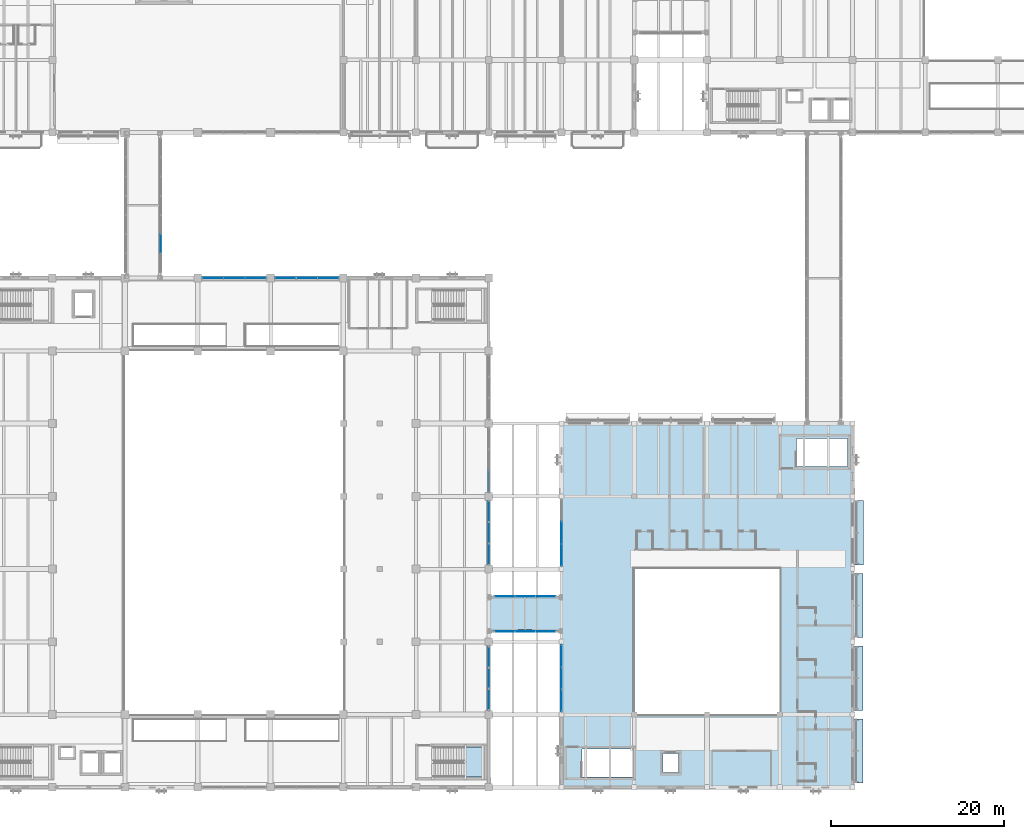
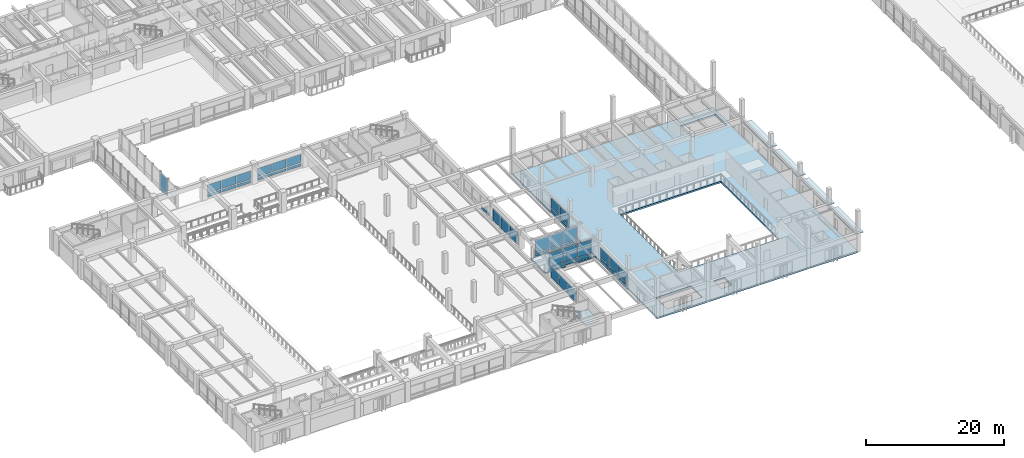
# One storey, part 52 of 118: 47 plates, 3 slabs, 15 elements without a shape of their own.
"""IFC4 building model written with IfcOpenShell, lengths in metres."""

from ifc_helpers import new_model, si_unit, direction, frame, origin, origin_2d, place, context, subcontext, project, spatial, polyline, rectangle, outline, extrude, material, layer, layer_set, type_object, element, aggregate, save


model = new_model("IFC4")

# Units and contexts
model_context = context("Model", 3, precision=1e-05, world=origin(), true_north=direction((0.0, 1.0)))
body_context = subcontext(model_context, "Body", "Model", "MODEL_VIEW")
ifc_project = project(units=[si_unit("LENGTHUNIT", "METRE"), si_unit("AREAUNIT", "SQUARE_METRE"), si_unit("VOLUMEUNIT", "CUBIC_METRE"), si_unit("PLANEANGLEUNIT", "RADIAN"), si_unit("MASSUNIT", "GRAM", prefix="KILO")], contexts=[model_context])

# Site, building, storey
site_placement = place(None, origin())
site = spatial("IfcSite", under=ifc_project, at=site_placement, CompositionType="ELEMENT")
building_placement = place(site_placement, origin())
building = spatial("IfcBuilding", under=site, at=building_placement, Name="Cumbredor Promenade Congress Hotel", CompositionType="ELEMENT")
storey_placement = place(building_placement, frame((0.0, 0.0, 3.919921875)))
storey = spatial("IfcBuildingStorey", under=building, at=storey_placement, Name="L01", CompositionType="ELEMENT", Elevation=3.919921875)

# Stair, slab
ifc_material_1 = material(Name="Concrete C40/50", Category="concrete")
stair_type = type_object("IfcStairType", Name="Protected Dog-Leg Exit Stair ST-T3 1650mm", PredefinedType="HALF_TURN_STAIR", material=ifc_material_1)
stair_placement = place(storey_placement, origin())
stair = element("IfcStair", 1, at=stair_placement, inside=storey, type_object=stair_type, Name="L01 Protected Exit Stair ST-05", PredefinedType="HALF_TURN_STAIR")
ifc_layer_1 = layer(ifc_material_1, 0.199951171875, Name="Concrete C40/50", Category="concrete")
ifc_layer_set_1 = layer_set([ifc_layer_1], Name="Concrete C40/50")
slab_type_1 = type_object("IfcSlabType", Name="Concrete Stair Landing Slab 200mm", PredefinedType="LANDING", material=ifc_layer_set_1)
slab_1_placement = place(storey_placement, frame((0.0, 0.0, 1.6201171875)))
slab_1 = element("IfcSlab", 2, at=slab_1_placement, type_object=slab_type_1, Name="ST-05 landing 1", PredefinedType="LANDING", context=body_context, shape_type="SweptSolid", body=[
    extrude(outline(polyline([(64.35009765625, 9.60009765625), (66.64990234375, 9.60009765625), (66.64990234375, 13.050048828125), (64.35009765625, 13.050048828125), (64.35009765625, 9.60009765625)])), origin(), (0.0, 0.0, 1.0), 0.199951171875),
])
aggregate(stair, [slab_1])

# Curtain wall, plate
ifc_material_2 = material(Name="Thermally broken anodized aluminium and low-E glass", Category="aluminium")
curtain_wall_type_1 = type_object("IfcCurtainWallType", Name="Unitised Bridge Glazing Screen CW-05", PredefinedType="NOTDEFINED", material=ifc_material_2)
curtain_wall_1_placement = place(storey_placement, origin())
curtain_wall_1 = element("IfcCurtainWall", 3, at=curtain_wall_1_placement, inside=storey, type_object=curtain_wall_type_1, Name="L01 West Congress-to-Hotel Glazed Bridge East Glazing Screen", PredefinedType="NOTDEFINED")
ifc_material_3 = material(Name="Laminated low-E solar-control glass", Category="glass")
ifc_layer_2 = layer(ifc_material_3, 0.030029296875, Name="Laminated low-E solar-control glass", Category="glass")
ifc_layer_set_2 = layer_set([ifc_layer_2], Name="Laminated low-E solar-control glass")
plate_type_1 = type_object("IfcPlateType", Name="Glazed Bridge Panel PNL-04", PredefinedType="CURTAIN_PANEL", material=ifc_layer_set_2)
plate_1_placement = place(storey_placement, frame((29.320068359375, 71.177001953125, 0.78515625), z_axis=(0.0, 0.0, 1.0), x_axis=(0.0, 1.0, 0.0)))
plate_1 = element("IfcPlate", 4, at=plate_1_placement, type_object=plate_type_1, Name="L01 West Congress-to-Hotel Glazed Bridge East Glazing Screen Glazing Panel 2.2", PredefinedType="CURTAIN_PANEL", context=body_context, shape_type="SweptSolid", body=[
    extrude(rectangle(XDim=2.146484375, YDim=0.030029296875, at=origin_2d()), origin(), (0.0, 0.0, 1.0), 2.340087890625),
])

# Curtain wall, plates
curtain_wall_2_placement = place(storey_placement, origin())
curtain_wall_2 = element("IfcCurtainWall", 5, at=curtain_wall_2_placement, inside=storey, type_object=curtain_wall_type_1, Name="L01 Central Plenary-to-Spa Pool Bridge South Glazing Screen", PredefinedType="NOTDEFINED")
plate_2_placement = place(storey_placement, frame((69.0400390625, 26.3798828125, 0.78515625), z_axis=(0.0, 0.0, 1.0), x_axis=(1.0, 0.0, 0.0)))
plate_2 = element("IfcPlate", 6, at=plate_2_placement, type_object=plate_type_1, Name="L01 Central Plenary-to-Spa Pool Bridge South Glazing Screen Glazing Panel 1.2", PredefinedType="CURTAIN_PANEL", context=body_context, shape_type="SweptSolid", body=[
    extrude(rectangle(XDim=2.294921875, YDim=0.030029296875, at=origin_2d()), origin(), (0.0, 0.0, 1.0), 2.340087890625),
])
plate_3_placement = place(storey_placement, frame((71.39990234375, 26.3798828125, 0.78515625), z_axis=(0.0, 0.0, 1.0), x_axis=(1.0, 0.0, 0.0)))
plate_3 = element("IfcPlate", 7, at=plate_3_placement, type_object=plate_type_1, Name="L01 Central Plenary-to-Spa Pool Bridge South Glazing Screen Glazing Panel 2.2", PredefinedType="CURTAIN_PANEL", context=body_context, shape_type="SweptSolid", body=[
    extrude(rectangle(XDim=2.294921875, YDim=0.030029296875, at=origin_2d()), origin(), (0.0, 0.0, 1.0), 2.340087890625),
])
plate_4_placement = place(storey_placement, frame((73.760009765625, 26.3798828125, 0.78515625), z_axis=(0.0, 0.0, 1.0), x_axis=(1.0, 0.0, 0.0)))
plate_4 = element("IfcPlate", 8, at=plate_4_placement, type_object=plate_type_1, Name="L01 Central Plenary-to-Spa Pool Bridge South Glazing Screen Glazing Panel 3.2", PredefinedType="CURTAIN_PANEL", context=body_context, shape_type="SweptSolid", body=[
    extrude(rectangle(XDim=2.294921875, YDim=0.030029296875, at=origin_2d()), origin(), (0.0, 0.0, 1.0), 2.340087890625),
])

curtain_wall_3_placement = place(storey_placement, origin())
curtain_wall_3 = element("IfcCurtainWall", 9, at=curtain_wall_3_placement, inside=storey, type_object=curtain_wall_type_1, Name="L01 Central Plenary-to-Spa Pool Bridge North Glazing Screen", PredefinedType="NOTDEFINED")
plate_5_placement = place(storey_placement, frame((69.0400390625, 30.419921875, 0.78515625), z_axis=(0.0, 0.0, 1.0), x_axis=(1.0, 0.0, 0.0)))
plate_5 = element("IfcPlate", 10, at=plate_5_placement, type_object=plate_type_1, Name="L01 Central Plenary-to-Spa Pool Bridge North Glazing Screen Glazing Panel 1.2", PredefinedType="CURTAIN_PANEL", context=body_context, shape_type="SweptSolid", body=[
    extrude(rectangle(XDim=2.294921875, YDim=0.030029296875, at=origin_2d()), origin(), (0.0, 0.0, 1.0), 2.340087890625),
])
plate_6_placement = place(storey_placement, frame((71.39990234375, 30.419921875, 0.78515625), z_axis=(0.0, 0.0, 1.0), x_axis=(1.0, 0.0, 0.0)))
plate_6 = element("IfcPlate", 11, at=plate_6_placement, type_object=plate_type_1, Name="L01 Central Plenary-to-Spa Pool Bridge North Glazing Screen Glazing Panel 2.2", PredefinedType="CURTAIN_PANEL", context=body_context, shape_type="SweptSolid", body=[
    extrude(rectangle(XDim=2.294921875, YDim=0.030029296875, at=origin_2d()), origin(), (0.0, 0.0, 1.0), 2.340087890625),
])
plate_7_placement = place(storey_placement, frame((73.760009765625, 30.419921875, 0.78515625), z_axis=(0.0, 0.0, 1.0), x_axis=(1.0, 0.0, 0.0)))
plate_7 = element("IfcPlate", 12, at=plate_7_placement, type_object=plate_type_1, Name="L01 Central Plenary-to-Spa Pool Bridge North Glazing Screen Glazing Panel 3.2", PredefinedType="CURTAIN_PANEL", context=body_context, shape_type="SweptSolid", body=[
    extrude(rectangle(XDim=2.294921875, YDim=0.030029296875, at=origin_2d()), origin(), (0.0, 0.0, 1.0), 2.340087890625),
])

curtain_wall_type_2 = type_object("IfcCurtainWallType", Name="Unitised Bronze Curtain Wall CW-01", PredefinedType="NOTDEFINED", material=ifc_material_2)
curtain_wall_4_placement = place(storey_placement, origin())
curtain_wall_4 = element("IfcCurtainWall", 13, at=curtain_wall_4_placement, inside=storey, type_object=curtain_wall_type_2, Name="L01 Plenary Congress Hall East Curtain Wall 4", PredefinedType="NOTDEFINED")
ifc_layer_3 = layer(ifc_material_3, 0.028076171875, Name="Laminated low-E solar-control glass", Category="glass")
ifc_layer_set_3 = layer_set([ifc_layer_3], Name="Laminated low-E solar-control glass")
plate_type_2 = type_object("IfcPlateType", Name="Glazed Vision Panel PNL-01", PredefinedType="CURTAIN_PANEL", material=ifc_layer_set_3)
plate_8_placement = place(storey_placement, frame((67.199951171875, 35.336669921875, 0.125), z_axis=(0.0, 0.0, 1.0), x_axis=(0.0, 1.0, 0.0)))
plate_8 = element("IfcPlate", 14, at=plate_8_placement, type_object=plate_type_2, Name="L01 Plenary Congress Hall East Curtain Wall 4 Glazing Panel 1.1", PredefinedType="CURTAIN_PANEL", context=body_context, shape_type="SweptSolid", body=[
    extrude(rectangle(XDim=2.398193359375, YDim=0.028076171875, at=origin_2d()), origin(), (0.0, 0.0, 1.0), 2.139892578125),
])
plate_9_placement = place(storey_placement, frame((67.199951171875, 37.800048828125, 0.125), z_axis=(0.0, 0.0, 1.0), x_axis=(0.0, 1.0, 0.0)))
plate_9 = element("IfcPlate", 15, at=plate_9_placement, type_object=plate_type_2, Name="L01 Plenary Congress Hall East Curtain Wall 4 Glazing Panel 2.1", PredefinedType="CURTAIN_PANEL", context=body_context, shape_type="SweptSolid", body=[
    extrude(rectangle(XDim=2.3984375, YDim=0.028076171875, at=origin_2d()), origin(), (0.0, 0.0, 1.0), 2.139892578125),
])
plate_10_placement = place(storey_placement, frame((67.199951171875, 40.263427734375, 0.125), z_axis=(0.0, 0.0, 1.0), x_axis=(0.0, 1.0, 0.0)))
plate_10 = element("IfcPlate", 16, at=plate_10_placement, type_object=plate_type_2, Name="L01 Plenary Congress Hall East Curtain Wall 4 Glazing Panel 3.1", PredefinedType="CURTAIN_PANEL", context=body_context, shape_type="SweptSolid", body=[
    extrude(rectangle(XDim=2.398193359375, YDim=0.028076171875, at=origin_2d()), origin(), (0.0, 0.0, 1.0), 2.139892578125),
])
aggregate(curtain_wall_4, [plate_8, plate_9, plate_10])

curtain_wall_5_placement = place(storey_placement, origin())
curtain_wall_5 = element("IfcCurtainWall", 17, at=curtain_wall_5_placement, inside=storey, type_object=curtain_wall_type_2, Name="L01 Thermal Spa and Hydrotherapy Pavilion West Curtain Wall 4", PredefinedType="NOTDEFINED")
plate_11_placement = place(storey_placement, frame((75.60009765625, 35.236572265625, 0.78515625), z_axis=(0.0, 0.0, 1.0), x_axis=(0.0, 1.0, 0.0)))
plate_11 = element("IfcPlate", 18, at=plate_11_placement, type_object=plate_type_2, Name="L01 Thermal Spa and Hydrotherapy Pavilion West Curtain Wall 4 Glazing Panel 1.2", PredefinedType="CURTAIN_PANEL", context=body_context, shape_type="SweptSolid", body=[
    extrude(rectangle(XDim=2.498291015625, YDim=0.028076171875, at=origin_2d()), origin(), (0.0, 0.0, 1.0), 1.820068359375),
])
plate_12_placement = place(storey_placement, frame((75.60009765625, 37.800048828125, 0.78515625), z_axis=(0.0, 0.0, 1.0), x_axis=(0.0, 1.0, 0.0)))
plate_12 = element("IfcPlate", 19, at=plate_12_placement, type_object=plate_type_2, Name="L01 Thermal Spa and Hydrotherapy Pavilion West Curtain Wall 4 Glazing Panel 2.2", PredefinedType="CURTAIN_PANEL", context=body_context, shape_type="SweptSolid", body=[
    extrude(rectangle(XDim=2.498291015625, YDim=0.028076171875, at=origin_2d()), origin(), (0.0, 0.0, 1.0), 1.820068359375),
])

curtain_wall_6_placement = place(storey_placement, origin())
curtain_wall_6 = element("IfcCurtainWall", 20, at=curtain_wall_6_placement, inside=storey, type_object=curtain_wall_type_2, Name="L01 Plenary Congress Hall North Curtain Wall 4", PredefinedType="NOTDEFINED")
ifc_layer_4 = layer(ifc_material_3, 0.031982421875, Name="Laminated low-E solar-control glass", Category="glass")
ifc_layer_set_4 = layer_set([ifc_layer_4], Name="Laminated low-E solar-control glass")
plate_type_3 = type_object("IfcPlateType", Name="Glazed Vision Panel PNL-02", PredefinedType="CURTAIN_PANEL", material=ifc_layer_set_4)
plate_13_placement = place(storey_placement, frame((35.336669921875, 67.199951171875, 0.795166015625), z_axis=(0.0, 0.0, 1.0), x_axis=(1.0, 0.0, 0.0)))
plate_13 = element("IfcPlate", 21, at=plate_13_placement, type_object=plate_type_3, Name="L01 Plenary Congress Hall North Curtain Wall 4 Glazing Panel 1.2", PredefinedType="CURTAIN_PANEL", context=body_context, shape_type="SweptSolid", body=[
    extrude(rectangle(XDim=2.38818359375, YDim=0.031982421875, at=origin_2d()), origin(), (0.0, 0.0, 1.0), 1.5),
])
plate_14_placement = place(storey_placement, frame((37.800048828125, 67.199951171875, 0.795166015625), z_axis=(0.0, 0.0, 1.0), x_axis=(1.0, 0.0, 0.0)))
plate_14 = element("IfcPlate", 22, at=plate_14_placement, type_object=plate_type_3, Name="L01 Plenary Congress Hall North Curtain Wall 4 Glazing Panel 2.2", PredefinedType="CURTAIN_PANEL", context=body_context, shape_type="SweptSolid", body=[
    extrude(rectangle(XDim=2.388427734375, YDim=0.031982421875, at=origin_2d()), origin(), (0.0, 0.0, 1.0), 1.5),
])
plate_15_placement = place(storey_placement, frame((40.263427734375, 67.199951171875, 0.795166015625), z_axis=(0.0, 0.0, 1.0), x_axis=(1.0, 0.0, 0.0)))
plate_15 = element("IfcPlate", 23, at=plate_15_placement, type_object=plate_type_3, Name="L01 Plenary Congress Hall North Curtain Wall 4 Glazing Panel 3.2", PredefinedType="CURTAIN_PANEL", context=body_context, shape_type="SweptSolid", body=[
    extrude(rectangle(XDim=2.38818359375, YDim=0.031982421875, at=origin_2d()), origin(), (0.0, 0.0, 1.0), 1.5),
])

curtain_wall_7_placement = place(storey_placement, origin())
curtain_wall_7 = element("IfcCurtainWall", 24, at=curtain_wall_7_placement, inside=storey, type_object=curtain_wall_type_2, Name="L01 Plenary Congress Hall North Curtain Wall 5", PredefinedType="NOTDEFINED")
ifc_layer_5 = layer(ifc_material_3, 0.028076171875, Name="Laminated low-E solar-control glass", Category="glass")
ifc_layer_set_5 = layer_set([ifc_layer_5], Name="Laminated low-E solar-control glass")
plate_type_4 = type_object("IfcPlateType", Name="Glazed Vision Panel PNL-03", PredefinedType="CURTAIN_PANEL", material=ifc_layer_set_5)
plate_16_placement = place(storey_placement, frame((43.736572265625, 67.199951171875, 0.81005859375), z_axis=(0.0, 0.0, 1.0), x_axis=(1.0, 0.0, 0.0)))
plate_16 = element("IfcPlate", 25, at=plate_16_placement, type_object=plate_type_4, Name="L01 Plenary Congress Hall North Curtain Wall 5 Glazing Panel 1.2", PredefinedType="CURTAIN_PANEL", context=body_context, shape_type="SweptSolid", body=[
    extrude(rectangle(XDim=2.38330078125, YDim=0.028076171875, at=origin_2d()), origin(), (0.0, 0.0, 1.0), 1.4599609375),
])
plate_17_placement = place(storey_placement, frame((46.199951171875, 67.199951171875, 0.81005859375), z_axis=(0.0, 0.0, 1.0), x_axis=(1.0, 0.0, 0.0)))
plate_17 = element("IfcPlate", 26, at=plate_17_placement, type_object=plate_type_4, Name="L01 Plenary Congress Hall North Curtain Wall 5 Glazing Panel 2.2", PredefinedType="CURTAIN_PANEL", context=body_context, shape_type="SweptSolid", body=[
    extrude(rectangle(XDim=2.38330078125, YDim=0.028076171875, at=origin_2d()), origin(), (0.0, 0.0, 1.0), 1.4599609375),
])
plate_18_placement = place(storey_placement, frame((48.663330078125, 67.199951171875, 0.81005859375), z_axis=(0.0, 0.0, 1.0), x_axis=(1.0, 0.0, 0.0)))
plate_18 = element("IfcPlate", 27, at=plate_18_placement, type_object=plate_type_4, Name="L01 Plenary Congress Hall North Curtain Wall 5 Glazing Panel 3.2", PredefinedType="CURTAIN_PANEL", context=body_context, shape_type="SweptSolid", body=[
    extrude(rectangle(XDim=2.38330078125, YDim=0.028076171875, at=origin_2d()), origin(), (0.0, 0.0, 1.0), 1.4599609375),
])

curtain_wall_8_placement = place(storey_placement, origin())
curtain_wall_8 = element("IfcCurtainWall", 28, at=curtain_wall_8_placement, inside=storey, type_object=curtain_wall_type_2, Name="L01 Plenary Congress Hall East Curtain Wall 2", PredefinedType="NOTDEFINED")
plate_19_placement = place(storey_placement, frame((67.199951171875, 18.53662109375, 0.18017578125), z_axis=(0.0, 0.0, 1.0), x_axis=(0.0, 1.0, 0.0)))
plate_19 = element("IfcPlate", 29, at=plate_19_placement, type_object=plate_type_4, Name="L01 Plenary Congress Hall East Curtain Wall 2 Glazing Panel 1.1", PredefinedType="CURTAIN_PANEL", context=body_context, shape_type="SweptSolid", body=[
    extrude(rectangle(XDim=2.38330078125, YDim=0.028076171875, at=origin_2d()), origin(), (0.0, 0.0, 1.0), 2.0400390625),
])
plate_20_placement = place(storey_placement, frame((67.199951171875, 21.0, 0.18017578125), z_axis=(0.0, 0.0, 1.0), x_axis=(0.0, 1.0, 0.0)))
plate_20 = element("IfcPlate", 30, at=plate_20_placement, type_object=plate_type_4, Name="L01 Plenary Congress Hall East Curtain Wall 2 Glazing Panel 2.1", PredefinedType="CURTAIN_PANEL", context=body_context, shape_type="SweptSolid", body=[
    extrude(rectangle(XDim=2.38330078125, YDim=0.028076171875, at=origin_2d()), origin(), (0.0, 0.0, 1.0), 2.0400390625),
])
plate_21_placement = place(storey_placement, frame((67.199951171875, 23.46337890625, 0.18017578125), z_axis=(0.0, 0.0, 1.0), x_axis=(0.0, 1.0, 0.0)))
plate_21 = element("IfcPlate", 31, at=plate_21_placement, type_object=plate_type_4, Name="L01 Plenary Congress Hall East Curtain Wall 2 Glazing Panel 3.1", PredefinedType="CURTAIN_PANEL", context=body_context, shape_type="SweptSolid", body=[
    extrude(rectangle(XDim=2.38330078125, YDim=0.028076171875, at=origin_2d()), origin(), (0.0, 0.0, 1.0), 2.0400390625),
])
aggregate(curtain_wall_8, [plate_19, plate_20, plate_21])

curtain_wall_9_placement = place(storey_placement, origin())
curtain_wall_9 = element("IfcCurtainWall", 32, at=curtain_wall_9_placement, inside=storey, type_object=curtain_wall_type_2, Name="L01 Thermal Spa and Hydrotherapy Pavilion West Curtain Wall 2", PredefinedType="NOTDEFINED")
plate_22_placement = place(storey_placement, frame((75.60009765625, 18.436767578125, 0.81005859375), z_axis=(0.0, 0.0, 1.0), x_axis=(0.0, 1.0, 0.0)))
plate_22 = element("IfcPlate", 33, at=plate_22_placement, type_object=plate_type_4, Name="L01 Thermal Spa and Hydrotherapy Pavilion West Curtain Wall 2 Glazing Panel 1.2", PredefinedType="CURTAIN_PANEL", context=body_context, shape_type="SweptSolid", body=[
    extrude(rectangle(XDim=2.4833984375, YDim=0.028076171875, at=origin_2d()), origin(), (0.0, 0.0, 1.0), 1.60009765625),
])
plate_23_placement = place(storey_placement, frame((75.60009765625, 21.0, 0.81005859375), z_axis=(0.0, 0.0, 1.0), x_axis=(0.0, 1.0, 0.0)))
plate_23 = element("IfcPlate", 34, at=plate_23_placement, type_object=plate_type_4, Name="L01 Thermal Spa and Hydrotherapy Pavilion West Curtain Wall 2 Glazing Panel 2.2", PredefinedType="CURTAIN_PANEL", context=body_context, shape_type="SweptSolid", body=[
    extrude(rectangle(XDim=2.4833984375, YDim=0.028076171875, at=origin_2d()), origin(), (0.0, 0.0, 1.0), 1.60009765625),
])
plate_24_placement = place(storey_placement, frame((75.60009765625, 23.563232421875, 0.81005859375), z_axis=(0.0, 0.0, 1.0), x_axis=(0.0, 1.0, 0.0)))
plate_24 = element("IfcPlate", 35, at=plate_24_placement, type_object=plate_type_4, Name="L01 Thermal Spa and Hydrotherapy Pavilion West Curtain Wall 2 Glazing Panel 3.2", PredefinedType="CURTAIN_PANEL", context=body_context, shape_type="SweptSolid", body=[
    extrude(rectangle(XDim=2.4833984375, YDim=0.028076171875, at=origin_2d()), origin(), (0.0, 0.0, 1.0), 1.60009765625),
])

# Curtain wall, plate
curtain_wall_type_3 = type_object("IfcCurtainWallType", Name="Solar Brise-Soleil Screen Assembly CW-07", PredefinedType="NOTDEFINED", material=ifc_material_2)
curtain_wall_10_placement = place(storey_placement, origin())
curtain_wall_10 = element("IfcCurtainWall", 36, at=curtain_wall_10_placement, inside=storey, type_object=curtain_wall_type_3, Name="L01 Hospitality Brise-Soleil Screen 004", PredefinedType="NOTDEFINED")
ifc_material_4 = material(Name="Precast concrete C40/50", Category="concrete")
ifc_layer_6 = layer(ifc_material_4, 0.14501953125, Name="Precast concrete C40/50", Category="concrete")
ifc_layer_set_6 = layer_set([ifc_layer_6], Name="Precast concrete C40/50")
plate_type_5 = type_object("IfcPlateType", Name="Horizontal Precast Sun-Hood Eyebrow Plate 145mm", PredefinedType="USERDEFINED", material=ifc_layer_set_6)
plate_25_placement = place(storey_placement, frame((109.76611328125, 12.60009765625, 2.573974609375), z_axis=(0.0, 0.0, 1.0), x_axis=(0.0, 1.0, 0.0)))
plate_25 = element("IfcPlate", 37, at=plate_25_placement, type_object=plate_type_5, Name="L01 Horizontal Sun-Hood Eyebrow 004", ObjectType="SUN HOOD", PredefinedType="USERDEFINED", context=body_context, shape_type="SweptSolid", body=[
    extrude(rectangle(XDim=7.39794921875, YDim=1.29248046875, at=origin_2d()), origin(), (0.0, 0.0, 1.0), 0.14501953125),
])
aggregate(curtain_wall_10, [plate_25])

curtain_wall_11_placement = place(storey_placement, origin())
curtain_wall_11 = element("IfcCurtainWall", 38, at=curtain_wall_11_placement, inside=storey, type_object=curtain_wall_type_3, Name="L01 Hospitality Brise-Soleil Screen 005", PredefinedType="NOTDEFINED")
plate_26_placement = place(storey_placement, frame((109.7724609375, 21.0, 2.573974609375), z_axis=(0.0, 0.0, 1.0), x_axis=(0.0, 1.0, 0.0)))
plate_26 = element("IfcPlate", 39, at=plate_26_placement, type_object=plate_type_5, Name="L01 Horizontal Sun-Hood Eyebrow 005", ObjectType="SUN HOOD", PredefinedType="USERDEFINED", context=body_context, shape_type="SweptSolid", body=[
    extrude(rectangle(XDim=7.39794921875, YDim=1.304931640625, at=origin_2d()), origin(), (0.0, 0.0, 1.0), 0.14501953125),
])
aggregate(curtain_wall_11, [plate_26])

curtain_wall_12_placement = place(storey_placement, origin())
curtain_wall_12 = element("IfcCurtainWall", 40, at=curtain_wall_12_placement, inside=storey, type_object=curtain_wall_type_3, Name="L01 Hospitality Brise-Soleil Screen 006", PredefinedType="NOTDEFINED")
plate_27_placement = place(storey_placement, frame((109.780029296875, 29.39990234375, 2.573974609375), z_axis=(0.0, 0.0, 1.0), x_axis=(0.0, 1.0, 0.0)))
plate_27 = element("IfcPlate", 41, at=plate_27_placement, type_object=plate_type_5, Name="L01 Horizontal Sun-Hood Eyebrow 006", ObjectType="SUN HOOD", PredefinedType="USERDEFINED", context=body_context, shape_type="SweptSolid", body=[
    extrude(rectangle(XDim=7.39794921875, YDim=1.320068359375, at=origin_2d()), origin(), (0.0, 0.0, 1.0), 0.14501953125),
])
aggregate(curtain_wall_12, [plate_27])

curtain_wall_13_placement = place(storey_placement, origin())
curtain_wall_13 = element("IfcCurtainWall", 42, at=curtain_wall_13_placement, inside=storey, type_object=curtain_wall_type_3, Name="L01 Hospitality Brise-Soleil Screen 007", PredefinedType="NOTDEFINED")
plate_28_placement = place(storey_placement, frame((109.791259765625, 37.800048828125, 2.573974609375), z_axis=(0.0, 0.0, 1.0), x_axis=(0.0, 1.0, 0.0)))
plate_28 = element("IfcPlate", 43, at=plate_28_placement, type_object=plate_type_5, Name="L01 Horizontal Sun-Hood Eyebrow 007", ObjectType="SUN HOOD", PredefinedType="USERDEFINED", context=body_context, shape_type="SweptSolid", body=[
    extrude(rectangle(XDim=7.39794921875, YDim=1.342529296875, at=origin_2d()), origin(), (0.0, 0.0, 1.0), 0.14501953125),
])
aggregate(curtain_wall_13, [plate_28])

# Plate
ifc_material_5 = material(Name="Thermally broken anodized aluminium", Category="aluminium")
ifc_layer_7 = layer(ifc_material_5, 0.0400390625, Name="Thermally broken anodized aluminium", Category="aluminium")
ifc_layer_set_7 = layer_set([ifc_layer_7], Name="Thermally broken anodized aluminium")
plate_type_6 = type_object("IfcPlateType", Name="Insulated Spandrel Panel PNL-05", PredefinedType="CURTAIN_PANEL", material=ifc_layer_set_7)
plate_29_placement = place(storey_placement, frame((43.736572265625, 67.199951171875, 0.18017578125), z_axis=(0.0, 0.0, 1.0), x_axis=(1.0, 0.0, 0.0)))
plate_29 = element("IfcPlate", 44, at=plate_29_placement, type_object=plate_type_6, Name="L01 Plenary Congress Hall North Curtain Wall 5 Spandrel Panel 1.1", PredefinedType="CURTAIN_PANEL", context=body_context, shape_type="SweptSolid", body=[
    extrude(rectangle(XDim=2.38330078125, YDim=0.0400390625, at=origin_2d()), origin(), (0.0, 0.0, 1.0), 0.449951171875),
])

plate_30_placement = place(storey_placement, frame((46.199951171875, 67.199951171875, 0.18017578125), z_axis=(0.0, 0.0, 1.0), x_axis=(1.0, 0.0, 0.0)))
plate_30 = element("IfcPlate", 45, at=plate_30_placement, type_object=plate_type_6, Name="L01 Plenary Congress Hall North Curtain Wall 5 Spandrel Panel 2.1", PredefinedType="CURTAIN_PANEL", context=body_context, shape_type="SweptSolid", body=[
    extrude(rectangle(XDim=2.38330078125, YDim=0.0400390625, at=origin_2d()), origin(), (0.0, 0.0, 1.0), 0.449951171875),
])

plate_31_placement = place(storey_placement, frame((48.663330078125, 67.199951171875, 0.18017578125), z_axis=(0.0, 0.0, 1.0), x_axis=(1.0, 0.0, 0.0)))
plate_31 = element("IfcPlate", 46, at=plate_31_placement, type_object=plate_type_6, Name="L01 Plenary Congress Hall North Curtain Wall 5 Spandrel Panel 3.1", PredefinedType="CURTAIN_PANEL", context=body_context, shape_type="SweptSolid", body=[
    extrude(rectangle(XDim=2.38330078125, YDim=0.0400390625, at=origin_2d()), origin(), (0.0, 0.0, 1.0), 0.449951171875),
])

aggregate(curtain_wall_7, [plate_29, plate_16, plate_30, plate_17, plate_31, plate_18])

# Curtain wall, plate
curtain_wall_14_placement = place(storey_placement, origin())
curtain_wall_14 = element("IfcCurtainWall", 47, at=curtain_wall_14_placement, inside=storey, type_object=curtain_wall_type_2, Name="L01 Plenary Congress Hall East Curtain Wall 5", PredefinedType="NOTDEFINED")
plate_32_placement = place(storey_placement, frame((67.199951171875, 43.736572265625, 0.1552734375), z_axis=(0.0, 0.0, 1.0), x_axis=(0.0, 1.0, 0.0)))
plate_32 = element("IfcPlate", 48, at=plate_32_placement, type_object=plate_type_6, Name="L01 Plenary Congress Hall East Curtain Wall 5 Spandrel Panel 1.1", PredefinedType="CURTAIN_PANEL", context=body_context, shape_type="SweptSolid", body=[
    extrude(rectangle(XDim=2.38818359375, YDim=0.0400390625, at=origin_2d()), origin(), (0.0, 0.0, 1.0), 0.489990234375),
])
aggregate(curtain_wall_14, [plate_32])

# Plate
plate_33_placement = place(storey_placement, frame((75.60009765625, 35.236572265625, 0.125), z_axis=(0.0, 0.0, 1.0), x_axis=(0.0, 1.0, 0.0)))
plate_33 = element("IfcPlate", 49, at=plate_33_placement, type_object=plate_type_6, Name="L01 Thermal Spa and Hydrotherapy Pavilion West Curtain Wall 4 Spandrel Panel 1.1", PredefinedType="CURTAIN_PANEL", context=body_context, shape_type="SweptSolid", body=[
    extrude(rectangle(XDim=2.498291015625, YDim=0.0400390625, at=origin_2d()), origin(), (0.0, 0.0, 1.0), 0.530029296875),
])

plate_34_placement = place(storey_placement, frame((75.60009765625, 37.800048828125, 0.125), z_axis=(0.0, 0.0, 1.0), x_axis=(0.0, 1.0, 0.0)))
plate_34 = element("IfcPlate", 50, at=plate_34_placement, type_object=plate_type_6, Name="L01 Thermal Spa and Hydrotherapy Pavilion West Curtain Wall 4 Spandrel Panel 2.1", PredefinedType="CURTAIN_PANEL", context=body_context, shape_type="SweptSolid", body=[
    extrude(rectangle(XDim=2.498291015625, YDim=0.0400390625, at=origin_2d()), origin(), (0.0, 0.0, 1.0), 0.530029296875),
])

aggregate(curtain_wall_5, [plate_33, plate_11, plate_34, plate_12])

ifc_layer_8 = layer(ifc_material_5, 0.0400390625, Name="Thermally broken anodized aluminium", Category="aluminium")
ifc_layer_set_8 = layer_set([ifc_layer_8], Name="Thermally broken anodized aluminium")
plate_type_7 = type_object("IfcPlateType", Name="Insulated Spandrel Panel PNL-06", PredefinedType="CURTAIN_PANEL", material=ifc_layer_set_8)
plate_35_placement = place(storey_placement, frame((35.336669921875, 67.199951171875, 0.1552734375), z_axis=(0.0, 0.0, 1.0), x_axis=(1.0, 0.0, 0.0)))
plate_35 = element("IfcPlate", 51, at=plate_35_placement, type_object=plate_type_7, Name="L01 Plenary Congress Hall North Curtain Wall 4 Spandrel Panel 1.1", PredefinedType="CURTAIN_PANEL", context=body_context, shape_type="SweptSolid", body=[
    extrude(rectangle(XDim=2.38818359375, YDim=0.0400390625, at=origin_2d()), origin(), (0.0, 0.0, 1.0), 0.489990234375),
])

plate_36_placement = place(storey_placement, frame((37.800048828125, 67.199951171875, 0.1552734375), z_axis=(0.0, 0.0, 1.0), x_axis=(1.0, 0.0, 0.0)))
plate_36 = element("IfcPlate", 52, at=plate_36_placement, type_object=plate_type_7, Name="L01 Plenary Congress Hall North Curtain Wall 4 Spandrel Panel 2.1", PredefinedType="CURTAIN_PANEL", context=body_context, shape_type="SweptSolid", body=[
    extrude(rectangle(XDim=2.388427734375, YDim=0.0400390625, at=origin_2d()), origin(), (0.0, 0.0, 1.0), 0.489990234375),
])

plate_37_placement = place(storey_placement, frame((40.263427734375, 67.199951171875, 0.1552734375), z_axis=(0.0, 0.0, 1.0), x_axis=(1.0, 0.0, 0.0)))
plate_37 = element("IfcPlate", 53, at=plate_37_placement, type_object=plate_type_7, Name="L01 Plenary Congress Hall North Curtain Wall 4 Spandrel Panel 3.1", PredefinedType="CURTAIN_PANEL", context=body_context, shape_type="SweptSolid", body=[
    extrude(rectangle(XDim=2.38818359375, YDim=0.0400390625, at=origin_2d()), origin(), (0.0, 0.0, 1.0), 0.489990234375),
])

aggregate(curtain_wall_6, [plate_35, plate_13, plate_36, plate_14, plate_37, plate_15])

plate_38_placement = place(storey_placement, frame((75.60009765625, 18.436767578125, 0.18017578125), z_axis=(0.0, 0.0, 1.0), x_axis=(0.0, 1.0, 0.0)))
plate_38 = element("IfcPlate", 54, at=plate_38_placement, type_object=plate_type_7, Name="L01 Thermal Spa and Hydrotherapy Pavilion West Curtain Wall 2 Spandrel Panel 1.1", PredefinedType="CURTAIN_PANEL", context=body_context, shape_type="SweptSolid", body=[
    extrude(rectangle(XDim=2.4833984375, YDim=0.0400390625, at=origin_2d()), origin(), (0.0, 0.0, 1.0), 0.449951171875),
])

plate_39_placement = place(storey_placement, frame((75.60009765625, 21.0, 0.18017578125), z_axis=(0.0, 0.0, 1.0), x_axis=(0.0, 1.0, 0.0)))
plate_39 = element("IfcPlate", 55, at=plate_39_placement, type_object=plate_type_7, Name="L01 Thermal Spa and Hydrotherapy Pavilion West Curtain Wall 2 Spandrel Panel 2.1", PredefinedType="CURTAIN_PANEL", context=body_context, shape_type="SweptSolid", body=[
    extrude(rectangle(XDim=2.4833984375, YDim=0.0400390625, at=origin_2d()), origin(), (0.0, 0.0, 1.0), 0.449951171875),
])

plate_40_placement = place(storey_placement, frame((75.60009765625, 23.563232421875, 0.18017578125), z_axis=(0.0, 0.0, 1.0), x_axis=(0.0, 1.0, 0.0)))
plate_40 = element("IfcPlate", 56, at=plate_40_placement, type_object=plate_type_7, Name="L01 Thermal Spa and Hydrotherapy Pavilion West Curtain Wall 2 Spandrel Panel 3.1", PredefinedType="CURTAIN_PANEL", context=body_context, shape_type="SweptSolid", body=[
    extrude(rectangle(XDim=2.4833984375, YDim=0.0400390625, at=origin_2d()), origin(), (0.0, 0.0, 1.0), 0.449951171875),
])

aggregate(curtain_wall_9, [plate_38, plate_22, plate_39, plate_23, plate_40, plate_24])

plate_41_placement = place(storey_placement, frame((29.320068359375, 71.177001953125, 0.125), z_axis=(0.0, 0.0, 1.0), x_axis=(0.0, 1.0, 0.0)))
plate_41 = element("IfcPlate", 57, at=plate_41_placement, type_object=plate_type_7, Name="L01 West Congress-to-Hotel Glazed Bridge East Glazing Screen Spandrel Panel 2.1", PredefinedType="CURTAIN_PANEL", context=body_context, shape_type="SweptSolid", body=[
    extrude(rectangle(XDim=2.146484375, YDim=0.0400390625, at=origin_2d()), origin(), (0.0, 0.0, 1.0), 0.530029296875),
])

aggregate(curtain_wall_1, [plate_41, plate_1])

plate_42_placement = place(storey_placement, frame((69.0400390625, 26.3798828125, 0.125), z_axis=(0.0, 0.0, 1.0), x_axis=(1.0, 0.0, 0.0)))
plate_42 = element("IfcPlate", 58, at=plate_42_placement, type_object=plate_type_7, Name="L01 Central Plenary-to-Spa Pool Bridge South Glazing Screen Spandrel Panel 1.1", PredefinedType="CURTAIN_PANEL", context=body_context, shape_type="SweptSolid", body=[
    extrude(rectangle(XDim=2.294921875, YDim=0.0400390625, at=origin_2d()), origin(), (0.0, 0.0, 1.0), 0.530029296875),
])

plate_43_placement = place(storey_placement, frame((71.39990234375, 26.3798828125, 0.125), z_axis=(0.0, 0.0, 1.0), x_axis=(1.0, 0.0, 0.0)))
plate_43 = element("IfcPlate", 59, at=plate_43_placement, type_object=plate_type_7, Name="L01 Central Plenary-to-Spa Pool Bridge South Glazing Screen Spandrel Panel 2.1", PredefinedType="CURTAIN_PANEL", context=body_context, shape_type="SweptSolid", body=[
    extrude(rectangle(XDim=2.294921875, YDim=0.0400390625, at=origin_2d()), origin(), (0.0, 0.0, 1.0), 0.530029296875),
])

plate_44_placement = place(storey_placement, frame((73.760009765625, 26.3798828125, 0.125), z_axis=(0.0, 0.0, 1.0), x_axis=(1.0, 0.0, 0.0)))
plate_44 = element("IfcPlate", 60, at=plate_44_placement, type_object=plate_type_7, Name="L01 Central Plenary-to-Spa Pool Bridge South Glazing Screen Spandrel Panel 3.1", PredefinedType="CURTAIN_PANEL", context=body_context, shape_type="SweptSolid", body=[
    extrude(rectangle(XDim=2.294921875, YDim=0.0400390625, at=origin_2d()), origin(), (0.0, 0.0, 1.0), 0.530029296875),
])

aggregate(curtain_wall_2, [plate_42, plate_2, plate_43, plate_3, plate_44, plate_4])

plate_45_placement = place(storey_placement, frame((69.0400390625, 30.419921875, 0.125), z_axis=(0.0, 0.0, 1.0), x_axis=(1.0, 0.0, 0.0)))
plate_45 = element("IfcPlate", 61, at=plate_45_placement, type_object=plate_type_7, Name="L01 Central Plenary-to-Spa Pool Bridge North Glazing Screen Spandrel Panel 1.1", PredefinedType="CURTAIN_PANEL", context=body_context, shape_type="SweptSolid", body=[
    extrude(rectangle(XDim=2.294921875, YDim=0.0400390625, at=origin_2d()), origin(), (0.0, 0.0, 1.0), 0.530029296875),
])

plate_46_placement = place(storey_placement, frame((71.39990234375, 30.419921875, 0.125), z_axis=(0.0, 0.0, 1.0), x_axis=(1.0, 0.0, 0.0)))
plate_46 = element("IfcPlate", 62, at=plate_46_placement, type_object=plate_type_7, Name="L01 Central Plenary-to-Spa Pool Bridge North Glazing Screen Spandrel Panel 2.1", PredefinedType="CURTAIN_PANEL", context=body_context, shape_type="SweptSolid", body=[
    extrude(rectangle(XDim=2.294921875, YDim=0.0400390625, at=origin_2d()), origin(), (0.0, 0.0, 1.0), 0.530029296875),
])

plate_47_placement = place(storey_placement, frame((73.760009765625, 30.419921875, 0.125), z_axis=(0.0, 0.0, 1.0), x_axis=(1.0, 0.0, 0.0)))
plate_47 = element("IfcPlate", 63, at=plate_47_placement, type_object=plate_type_7, Name="L01 Central Plenary-to-Spa Pool Bridge North Glazing Screen Spandrel Panel 3.1", PredefinedType="CURTAIN_PANEL", context=body_context, shape_type="SweptSolid", body=[
    extrude(rectangle(XDim=2.294921875, YDim=0.0400390625, at=origin_2d()), origin(), (0.0, 0.0, 1.0), 0.530029296875),
])

aggregate(curtain_wall_3, [plate_45, plate_5, plate_46, plate_6, plate_47, plate_7])

# Slabs
ifc_layer_9 = layer(ifc_material_1, 0.219970703125, Name="Concrete C40/50", Category="concrete")
ifc_layer_set_9 = layer_set([ifc_layer_9], Name="Concrete C40/50")
slab_type_2 = type_object("IfcSlabType", Name="Link Bridge Deck Slab 220mm", PredefinedType="FLOOR", material=ifc_layer_set_9)
slab_2_placement = place(storey_placement, frame((0.0, 0.0, -0.219970703125)))
element("IfcSlab", 64, at=slab_2_placement, inside=storey, type_object=slab_type_2, Name="L01 Central Plenary-to-Spa Pool Bridge Floor Deck", PredefinedType="FLOOR", context=body_context, shape_type="SweptSolid", body=[
    extrude(outline(polyline([(67.199951171875, 26.300048828125), (70.60009765625, 26.300048828125), (70.60009765625, 26.64990234375), (72.199951171875, 26.64990234375), (72.199951171875, 26.300048828125), (75.60009765625, 26.300048828125), (75.60009765625, 30.5), (67.199951171875, 30.5), (67.199951171875, 26.300048828125)])), origin(), (0.0, 0.0, 1.0), 0.219970703125),
])
ifc_layer_10 = layer(ifc_material_1, 0.280029296875, Name="Concrete C40/50", Category="concrete")
ifc_layer_set_10 = layer_set([ifc_layer_10], Name="Concrete C40/50")
slab_type_3 = type_object("IfcSlabType", Name="Podium Floor Slab 280mm", PredefinedType="FLOOR", material=ifc_layer_set_10)
slab_3_placement = place(storey_placement, frame((0.0, 0.0, -0.280029296875)))
element("IfcSlab", 65, at=slab_3_placement, inside=storey, type_object=slab_type_3, Name="L01 Thermal Spa and Hydrotherapy Pavilion Floor Slab", PredefinedType="FLOOR", context=body_context, shape_type="SweptSolid", body=[
    extrude(outline(polyline([(75.60009765625, 8.39990234375), (109.199951171875, 8.39990234375), (109.199951171875, 50.39990234375), (75.60009765625, 50.39990234375), (75.60009765625, 8.39990234375)]), holes=[polyline([(77.949951171875, 9.60009765625), (83.85009765625, 9.60009765625), (83.85009765625, 12.85009765625), (77.949951171875, 12.85009765625), (77.949951171875, 9.60009765625)]), polyline([(102.75, 45.449951171875), (108.64990234375, 45.449951171875), (108.64990234375, 48.699951171875), (102.75, 48.699951171875), (102.75, 45.449951171875)]), polyline([(87.300048828125, 10.10009765625), (89.10009765625, 10.10009765625), (89.10009765625, 12.300048828125), (87.300048828125, 12.300048828125), (87.300048828125, 10.10009765625)]), polyline([(84.0, 16.800048828125), (100.800048828125, 16.800048828125), (100.800048828125, 33.60009765625), (84.0, 33.60009765625), (84.0, 16.800048828125)])]), origin(), (0.0, 0.0, 1.0), 0.280029296875),
])

save(model, "model.ifc")
